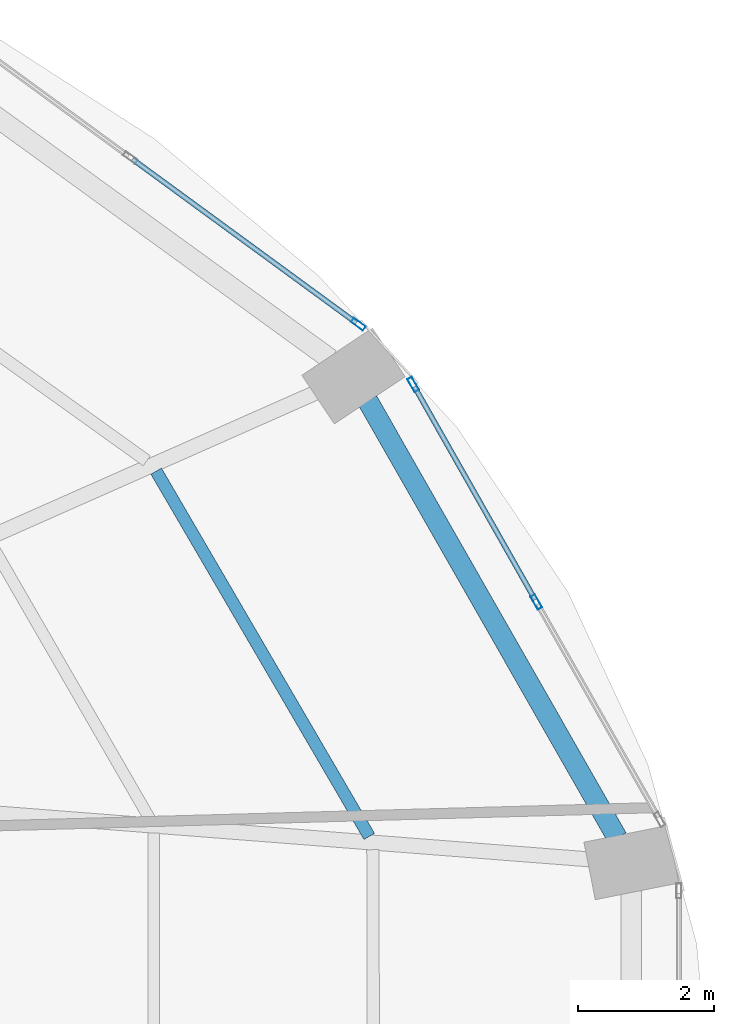
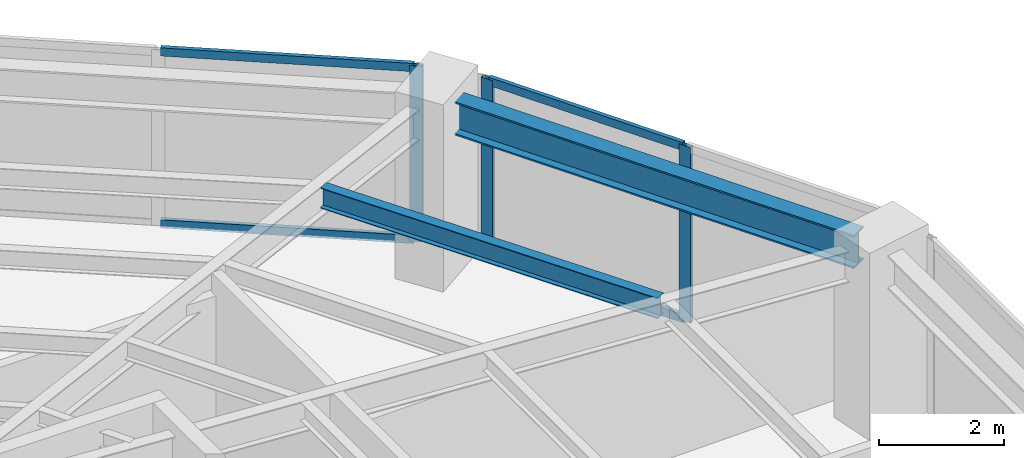
# One storey, part 18 of 25: 7 members, 2 beams, 2 elements without a shape of their own.
"""IFC4 building model written with IfcOpenShell, lengths in metres."""

from ifc_helpers import new_model, si_unit, direction, frame, origin, origin_2d, place, context, subcontext, project, spatial, hollow_rectangle, i_section, extrude, material, layer, layer_set, material_profile, profile_set, type_object, element, aggregate, save


model = new_model("IFC4")

# Units and contexts
model_context = context("Model", 3, precision=1e-05, world=origin(), true_north=direction((0.0, 1.0)))
body_context = subcontext(model_context, "Body", "Model", "MODEL_VIEW")
ifc_project = project(units=[si_unit("LENGTHUNIT", "METRE"), si_unit("AREAUNIT", "SQUARE_METRE"), si_unit("VOLUMEUNIT", "CUBIC_METRE"), si_unit("PLANEANGLEUNIT", "RADIAN"), si_unit("MASSUNIT", "GRAM", prefix="KILO")], contexts=[model_context])

# Site, building, storey
site_placement = place(None, origin())
site = spatial("IfcSite", under=ifc_project, at=site_placement, CompositionType="ELEMENT")
building_placement = place(site_placement, origin())
building = spatial("IfcBuilding", under=site, at=building_placement, Name="Lazwardi Medical Tower", CompositionType="ELEMENT")
storey_placement = place(building_placement, frame((0.0, 0.0, 28.847900390625)))
storey = spatial("IfcBuildingStorey", under=building, at=storey_placement, Name="L06", CompositionType="ELEMENT", Elevation=28.847900390625)

# Beams
ifc_material_1 = material(Name="Steel S355", Category="steel")
ifc_material_profile_1 = material_profile(ifc_material_1, i_section(OverallWidth=0.300048828125, OverallDepth=0.64990234375, WebThickness=0.01611328125, FlangeThickness=0.031005859375, at=origin_2d()), Name="HEB 650")
ifc_profile_set_1 = profile_set([ifc_material_profile_1], Name="Steel S355")
beam_type_1 = type_object("IfcBeamType", Name="BM-RB-Z1", PredefinedType="BEAM", material=ifc_profile_set_1)
beam_1_placement = place(storey_placement, frame((62.591796875, 34.63232421875, 3.10302734375), z_axis=(-0.49581512241, 0.868428099724, 0.0), x_axis=(-0.868428099724, -0.49581512241, 0.0)))
element("IfcBeam", 1, at=beam_1_placement, inside=storey, type_object=beam_type_1, Name="Ring beam RB-02 B05 L06", PredefinedType="BEAM", context=body_context, shape_type="SweptSolid", body=[
    extrude(i_section(OverallWidth=0.300048828125, OverallDepth=0.64990234375, WebThickness=0.01611328125, FlangeThickness=0.031005859375, at=origin_2d()), origin(), (0.0, 0.0, 1.0), 7.389404296875),
])
ifc_material_profile_2 = material_profile(ifc_material_1, i_section(OverallWidth=0.179931640625, OverallDepth=0.39990234375, WebThickness=0.008544921875, FlangeThickness=0.013427734375, at=origin_2d()), Name="IPE 400")
ifc_profile_set_2 = profile_set([ifc_material_profile_2], Name="Steel S355")
beam_type_2 = type_object("IfcBeamType", Name="BM-SJ-01", PredefinedType="JOIST", material=ifc_profile_set_2)
beam_2_placement = place(storey_placement, frame((58.951171875, 34.65234375, 3.22802734375), z_axis=(-0.503846579557, 0.863793160582, 0.0), x_axis=(-0.863793160582, -0.503846579557, 0.0)))
element("IfcBeam", 2, at=beam_2_placement, inside=storey, type_object=beam_type_2, Name="Secondary joist SJ-01 R1 B05 L06", PredefinedType="JOIST", context=body_context, shape_type="SweptSolid", body=[
    extrude(i_section(OverallWidth=0.179931640625, OverallDepth=0.39990234375, WebThickness=0.008544921875, FlangeThickness=0.013427734375, at=origin_2d()), origin(), (0.0, 0.0, 1.0), 6.20947265625),
])

# Curtain wall, members
ifc_material_2 = material(Name="Anodised bronze aluminium and solar control glazing", Category="aluminium")
ifc_layer = layer(ifc_material_2, 0.199951171875)
ifc_layer_set = layer_set([ifc_layer], Name="Anodised bronze aluminium and solar control glazing")
curtain_wall_type = type_object("IfcCurtainWallType", Name="CW-SYS-02", PredefinedType="NOTDEFINED", material=ifc_layer_set)
curtain_wall_1_placement = place(storey_placement, origin())
curtain_wall_1 = element("IfcCurtainWall", 3, at=curtain_wall_1_placement, inside=storey, type_object=curtain_wall_type, Name="L06 Unitised bronze curtain wall CW-02", PredefinedType="NOTDEFINED")
ifc_material_3 = material(Name="Anodised bronze aluminium", Category="aluminium")
ifc_material_profile_3 = material_profile(ifc_material_3, hollow_rectangle(XDim=0.074951171875, YDim=0.219970703125, WallThickness=0.00390625, at=origin_2d()), Name="ALU-MULLION 220x75x4")
ifc_profile_set_3 = profile_set([ifc_material_profile_3], Name="Anodised bronze aluminium")
member_type_1 = type_object("IfcMemberType", Name="CW-MUL-01", PredefinedType="MULLION", material=ifc_profile_set_3)
member_1_placement = place(storey_placement, frame((61.4052734375, 38.095458984375, 0.0), z_axis=(0.0, 0.0, 1.0), x_axis=(-0.870111838823, -0.492854327303, 0.0)))
member_1 = element("IfcMember", 4, at=member_1_placement, type_object=member_type_1, Name="CW-02 mullion 2", PredefinedType="MULLION", context=body_context, shape_type="SweptSolid", body=[
    extrude(hollow_rectangle(XDim=0.074951171875, YDim=0.219970703125, WallThickness=0.00390625, at=origin_2d()), origin(), (0.0, 0.0, 1.0), 3.427978515625),
])
member_2_placement = place(storey_placement, frame((59.5966796875, 41.28857421875, 0.0), z_axis=(0.0, 0.0, 1.0), x_axis=(-0.870111838823, -0.492854327303, 0.0)))
member_2 = element("IfcMember", 5, at=member_2_placement, type_object=member_type_1, Name="CW-02 mullion 3", PredefinedType="MULLION", context=body_context, shape_type="SweptSolid", body=[
    extrude(hollow_rectangle(XDim=0.074951171875, YDim=0.219970703125, WallThickness=0.00390625, at=origin_2d()), origin(), (0.0, 0.0, 1.0), 3.427978515625),
])

# Curtain wall, member
curtain_wall_2_placement = place(storey_placement, origin())
curtain_wall_2 = element("IfcCurtainWall", 6, at=curtain_wall_2_placement, inside=storey, type_object=curtain_wall_type, Name="L06 Unitised bronze curtain wall CW-02", PredefinedType="NOTDEFINED")
member_3_placement = place(storey_placement, frame((58.790283203125, 42.172607421875, 0.0), z_axis=(0.0, 0.0, 1.0), x_axis=(-0.590289307341, -0.807191757663, 0.0)))
member_3 = element("IfcMember", 7, at=member_3_placement, type_object=member_type_1, Name="CW-02 mullion 1", PredefinedType="MULLION", context=body_context, shape_type="SweptSolid", body=[
    extrude(hollow_rectangle(XDim=0.074951171875, YDim=0.219970703125, WallThickness=0.00390625, at=origin_2d()), origin(), (0.0, 0.0, 1.0), 3.427978515625),
])

# Member
ifc_material_profile_4 = material_profile(ifc_material_3, hollow_rectangle(XDim=0.074951171875, YDim=0.159912109375, WallThickness=0.00390625, at=origin_2d()), Name="ALU-TRANSOM 160x75x4")
ifc_profile_set_4 = profile_set([ifc_material_profile_4], Name="Anodised bronze aluminium")
member_type_2 = type_object("IfcMemberType", Name="CW-TRN-01", PredefinedType="USERDEFINED", material=ifc_profile_set_4)
member_4_placement = place(storey_placement, frame((61.386962890625, 38.128173828125, 0.03759765625), z_axis=(-0.492880614687, 0.870096948429, 0.0), x_axis=(-0.870096948429, -0.492880614687, 0.0)))
member_4 = element("IfcMember", 8, at=member_4_placement, type_object=member_type_2, Name="CW-02 transom 2.1", ObjectType="TRANSOM", PredefinedType="USERDEFINED", context=body_context, shape_type="SweptSolid", body=[
    extrude(hollow_rectangle(XDim=0.074951171875, YDim=0.159912109375, WallThickness=0.00390625, at=origin_2d()), origin(), (0.0, 0.0, 1.0), 3.5947265625),
])

member_5_placement = place(storey_placement, frame((61.386962890625, 38.128173828125, 3.390625), z_axis=(-0.492880614687, 0.870096948429, 0.0), x_axis=(-0.870096948429, -0.492880614687, 0.0)))
member_5 = element("IfcMember", 9, at=member_5_placement, type_object=member_type_2, Name="CW-02 transom 2.2", ObjectType="TRANSOM", PredefinedType="USERDEFINED", context=body_context, shape_type="SweptSolid", body=[
    extrude(hollow_rectangle(XDim=0.074951171875, YDim=0.159912109375, WallThickness=0.00390625, at=origin_2d()), origin(), (0.0, 0.0, 1.0), 3.5947265625),
])

aggregate(curtain_wall_1, [member_1, member_2, member_4, member_5])

member_6_placement = place(storey_placement, frame((58.760009765625, 42.194580078125, 0.03759765625), z_axis=(-0.807189956199, 0.590291770748, 0.0), x_axis=(-0.590291770748, -0.807189956199, 0.0)))
member_6 = element("IfcMember", 10, at=member_6_placement, type_object=member_type_2, Name="CW-02 transom 1.1", ObjectType="TRANSOM", PredefinedType="USERDEFINED", context=body_context, shape_type="SweptSolid", body=[
    extrude(hollow_rectangle(XDim=0.074951171875, YDim=0.159912109375, WallThickness=0.00390625, at=origin_2d()), origin(), (0.0, 0.0, 1.0), 4.070068359375),
])

member_7_placement = place(storey_placement, frame((58.760009765625, 42.194580078125, 3.390625), z_axis=(-0.807189956199, 0.590291770748, 0.0), x_axis=(-0.590291770748, -0.807189956199, 0.0)))
member_7 = element("IfcMember", 11, at=member_7_placement, type_object=member_type_2, Name="CW-02 transom 1.2", ObjectType="TRANSOM", PredefinedType="USERDEFINED", context=body_context, shape_type="SweptSolid", body=[
    extrude(hollow_rectangle(XDim=0.074951171875, YDim=0.159912109375, WallThickness=0.00390625, at=origin_2d()), origin(), (0.0, 0.0, 1.0), 4.070068359375),
])

aggregate(curtain_wall_2, [member_3, member_6, member_7])

save(model, "model.ifc")
